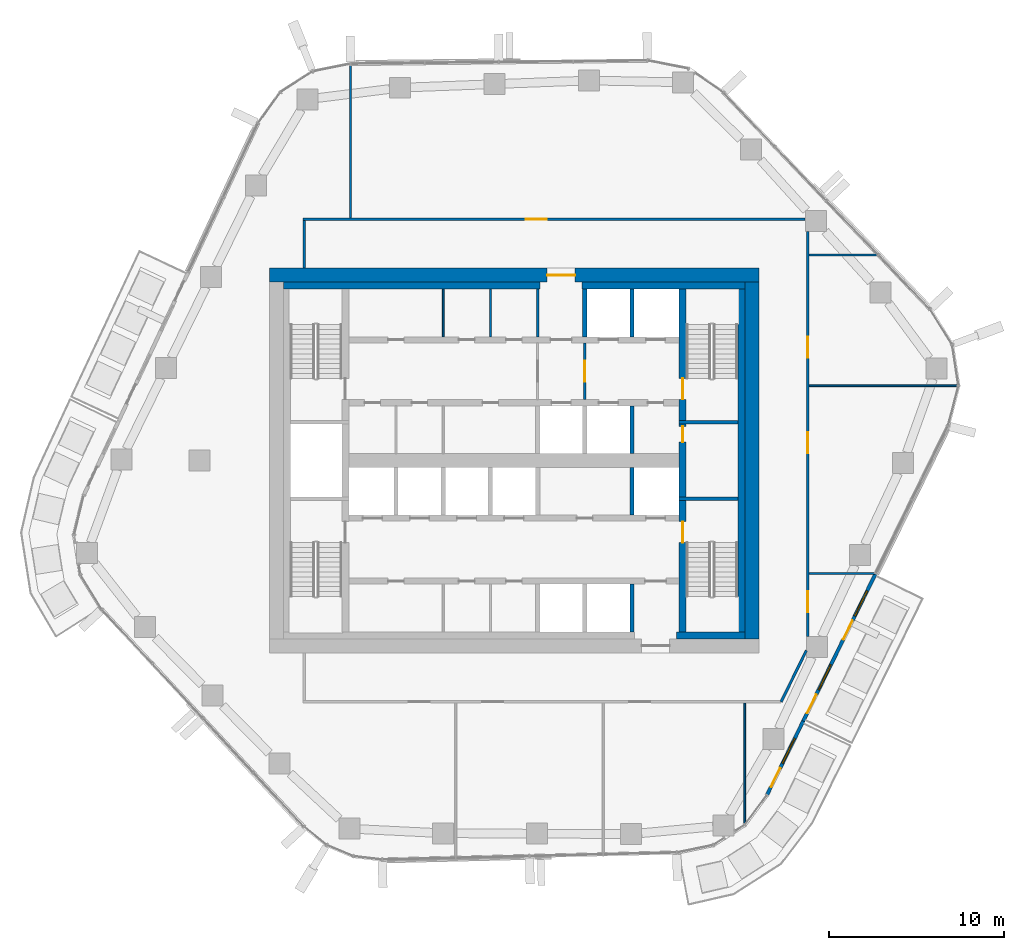
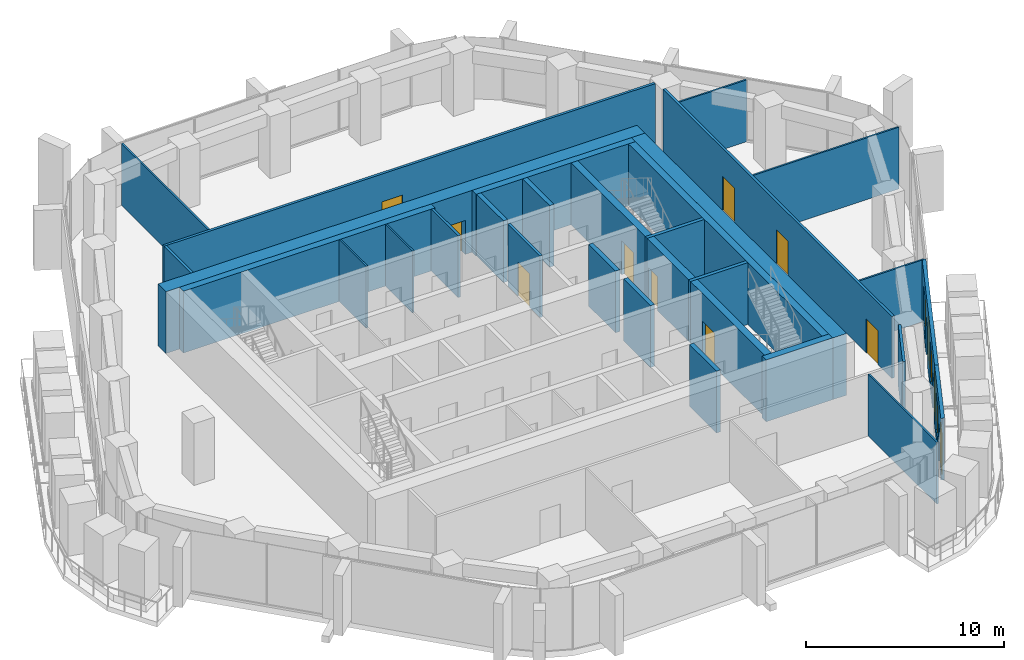
# One storey, part 12 of 17: 31 walls, 12 doors, 3 windows, 15 openings.
"""IFC4 building model written with IfcOpenShell, lengths in metres."""

from ifc_helpers import new_model, si_unit, direction, frame, frame_2d, origin, place, context, subcontext, project, spatial, rectangle, extrude, material, layer, layer_set, type_object, element, fill, save


model = new_model("IFC4")

# Units and contexts
model_context = context("Model", 3, precision=1e-05, world=origin(), true_north=direction((0.0, 1.0)))
body_context = subcontext(model_context, "Body", "Model", "MODEL_VIEW")
ifc_project = project(units=[si_unit("LENGTHUNIT", "METRE"), si_unit("AREAUNIT", "SQUARE_METRE"), si_unit("VOLUMEUNIT", "CUBIC_METRE"), si_unit("PLANEANGLEUNIT", "RADIAN"), si_unit("MASSUNIT", "GRAM", prefix="KILO")], contexts=[model_context])

# Site, building, storey
site_placement = place(None, origin())
site = spatial("IfcSite", under=ifc_project, at=site_placement, CompositionType="ELEMENT")
building_placement = place(site_placement, origin())
building = spatial("IfcBuilding", under=site, at=building_placement, Name="Dongbaek Canopy Tower", CompositionType="ELEMENT")
storey_placement = place(building_placement, frame((0.0, 0.0, 211.39990234375)))
storey = spatial("IfcBuildingStorey", under=building, at=storey_placement, Name="L44", CompositionType="ELEMENT", Elevation=211.39990234375)

# Wall, opening, door
ifc_material_1 = material(Name="Concrete C70/85", Category="concrete")
ifc_layer_1 = layer(ifc_material_1, 0.800048828125)
ifc_layer_set_1 = layer_set([ifc_layer_1], Name="Core outer wall 800 Concrete C70/85")
wall_type_1 = type_object("IfcWallType", Name="Core outer wall 800 Concrete C70/85", PredefinedType="SHEAR", material=ifc_layer_set_1)
wall_1_placement = place(storey_placement, frame((-14.0, 10.60009765625, 0.0), z_axis=(0.0, 0.0, 1.0), x_axis=(1.0, 0.0, 0.0)))
wall_1 = element("IfcWall", 1, at=wall_1_placement, inside=storey, type_object=wall_type_1, Name="Core wall", PredefinedType="SHEAR", context=body_context, shape_type="SweptSolid", body=[
    extrude(rectangle(XDim=28.0, YDim=0.800048828125, at=frame_2d((14.0, 0.0))), origin(), (0.0, 0.0, 1.0), 3.820068359375),
])
opening_1_placement = place(wall_1_placement, frame((15.89990234375, 0.0, 0.0)))
opening_1 = element("IfcOpeningElement", 2, at=opening_1_placement, cuts=wall_1, Name="Opening L44-D009", PredefinedType="OPENING", context=body_context, shape_type="SweptSolid", body=[
    extrude(rectangle(XDim=1.60009765625, YDim=2.10009765625, at=frame_2d((0.800048828125, 1.050048828125))), frame((0.0, 0.409912109375, 0.0), z_axis=(0.0, -1.0, 0.0), x_axis=(1.0, 0.0, 0.0)), (0.0, 0.0, 1.0), 0.820068359375),
])
ifc_material_2 = material(Name="Steel", Category="steel")
door_type_1 = type_object("IfcDoorType", Name="Core exit door 1600 x 2100", OperationType="DOUBLE_DOOR_SINGLE_SWING", PredefinedType="DOOR", material=ifc_material_2)
door_1_placement = place(opening_1_placement, origin())
door_1 = element("IfcDoor", 3, at=door_1_placement, inside=storey, type_object=door_type_1, Name="Core exit door", OperationType="DOUBLE_DOOR_SINGLE_SWING", OverallHeight=2.10009765625, OverallWidth=1.60009765625, PredefinedType="DOOR", context=body_context, shape_type="SweptSolid", body=[
    extrude(rectangle(XDim=1.60009765625, YDim=2.10009765625, at=frame_2d((0.800048828125, 1.050048828125))), frame((0.0, 0.02490234375, 0.0), z_axis=(0.0, -1.0, 0.0), x_axis=(1.0, 0.0, 0.0)), (0.0, 0.0, 1.0), 0.050048828125),
])
fill(opening_1, door_1)

# Walls
wall_2_placement = place(storey_placement, frame((13.60009765625, 10.199951171875, 0.0), z_axis=(0.0, 0.0, 1.0), x_axis=(0.0, -1.0, 0.0)))
element("IfcWall", 4, at=wall_2_placement, inside=storey, type_object=wall_type_1, Name="Core wall", PredefinedType="SHEAR", context=body_context, shape_type="SweptSolid", body=[
    extrude(rectangle(XDim=20.39990234375, YDim=0.800048828125, at=frame_2d((10.199951171875, 0.0))), origin(), (0.0, 0.0, 1.0), 3.820068359375),
])
ifc_material_3 = material(Name="Concrete C60/75", Category="concrete")
ifc_layer_2 = layer(ifc_material_3, 0.39990234375)
ifc_layer_set_2 = layer_set([ifc_layer_2], Name="Core wall lining 400 Concrete C60/75")
wall_type_2 = type_object("IfcWallType", Name="Core wall lining 400 Concrete C60/75", PredefinedType="SHEAR", material=ifc_layer_set_2)
wall_3_placement = place(storey_placement, frame((-13.199951171875, 10.0, 0.0), z_axis=(0.0, 0.0, 1.0), x_axis=(1.0, 0.0, 0.0)))
element("IfcWall", 5, at=wall_3_placement, inside=storey, type_object=wall_type_2, Name="Core wall lining", PredefinedType="SHEAR", context=body_context, shape_type="SweptSolid", body=[
    extrude(rectangle(XDim=14.699951171875, YDim=0.39990234375, at=frame_2d((7.35009765625, 0.0))), origin(), (0.0, 0.0, 1.0), 3.820068359375),
])
wall_4_placement = place(storey_placement, frame((3.89990234375, 10.0, 0.0), z_axis=(0.0, 0.0, 1.0), x_axis=(1.0, 0.0, 0.0)))
element("IfcWall", 6, at=wall_4_placement, inside=storey, type_object=wall_type_2, Name="Core wall lining", PredefinedType="SHEAR", context=body_context, shape_type="SweptSolid", body=[
    extrude(rectangle(XDim=9.300048828125, YDim=0.39990234375, at=frame_2d((4.64990234375, 0.0))), origin(), (0.0, 0.0, 1.0), 3.820068359375),
])
wall_5_placement = place(storey_placement, frame((13.199951171875, -10.0, 0.0), z_axis=(0.0, 0.0, 1.0), x_axis=(-1.0, 0.0, 0.0)))
element("IfcWall", 7, at=wall_5_placement, inside=storey, type_object=wall_type_2, Name="Core wall lining", PredefinedType="SHEAR", context=body_context, shape_type="SweptSolid", body=[
    extrude(rectangle(XDim=3.89990234375, YDim=0.39990234375, at=frame_2d((1.949951171875, 0.0))), origin(), (0.0, 0.0, 1.0), 3.820068359375),
])
wall_6_placement = place(storey_placement, frame((13.0, 9.800048828125, 0.0), z_axis=(0.0, 0.0, 1.0), x_axis=(0.0, -1.0, 0.0)))
element("IfcWall", 8, at=wall_6_placement, inside=storey, type_object=wall_type_2, Name="Core wall lining", PredefinedType="SHEAR", context=body_context, shape_type="SweptSolid", body=[
    extrude(rectangle(XDim=19.60009765625, YDim=0.39990234375, at=frame_2d((9.800048828125, 0.0))), origin(), (0.0, 0.0, 1.0), 3.820068359375),
])

# Wall, opening, door
ifc_material_4 = material(Name="Gypsum board partition, steel stud, 2 x 15 mm fire board", Category="steel")
ifc_layer_3 = layer(ifc_material_4, 0.14990234375)
ifc_layer_set_3 = layer_set([ifc_layer_3], Name="Fire-rated partition 150 gypsum board")
wall_type_3 = type_object("IfcWallType", Name="Fire-rated partition 150 gypsum board", PredefinedType="PARTITIONING", material=ifc_layer_set_3)
wall_7_placement = place(storey_placement, frame((-12.074951171875, 13.800048828125, 0.0), z_axis=(0.0, 0.0, 1.0), x_axis=(1.0, 0.0, 0.0)))
wall_7 = element("IfcWall", 9, at=wall_7_placement, inside=storey, type_object=wall_type_3, Name="Corridor partition", PredefinedType="PARTITIONING", context=body_context, shape_type="SweptSolid", body=[
    extrude(rectangle(XDim=28.72509765625, YDim=0.14990234375, at=frame_2d((14.362548828125, 0.0))), origin(), (0.0, 0.0, 1.0), 3.820068359375),
])
opening_2_placement = place(wall_7_placement, frame((12.736572265625, 0.0, 0.0)))
opening_2 = element("IfcOpeningElement", 10, at=opening_2_placement, cuts=wall_7, Name="Opening L44-D007", PredefinedType="OPENING", context=body_context, shape_type="SweptSolid", body=[
    extrude(rectangle(XDim=1.199951171875, YDim=2.10009765625, at=frame_2d((0.60009765625, 1.050048828125))), frame((0.0, 0.0849609375, 0.0), z_axis=(0.0, -1.0, 0.0), x_axis=(1.0, 0.0, 0.0)), (0.0, 0.0, 1.0), 0.169921875),
])
ifc_material_5 = material(Name="Timber veneered door leaf", Category="wood")
door_type_2 = type_object("IfcDoorType", Name="Room door 1200 x 2100", OperationType="SINGLE_SWING_LEFT", PredefinedType="DOOR", material=ifc_material_5)
door_2_placement = place(opening_2_placement, origin())
door_2 = element("IfcDoor", 11, at=door_2_placement, inside=storey, type_object=door_type_2, Name="Door L44-D007", OperationType="SINGLE_SWING_RIGHT", OverallHeight=2.10009765625, OverallWidth=1.199951171875, PredefinedType="DOOR", context=body_context, shape_type="SweptSolid", body=[
    extrude(rectangle(XDim=1.199951171875, YDim=2.10009765625, at=frame_2d((0.60009765625, 1.050048828125))), frame((0.0, 0.02490234375, 0.0), z_axis=(0.0, -1.0, 0.0), x_axis=(1.0, 0.0, 0.0)), (0.0, 0.0, 1.0), 0.050048828125),
])
fill(opening_2, door_2)

# Wall
wall_8_placement = place(storey_placement, frame((15.283447265625, -13.7998046875, 0.0), z_axis=(0.0, 0.0, 1.0), x_axis=(0.440561446279, 0.897722458253, 0.0)))
element("IfcWall", 12, at=wall_8_placement, inside=storey, type_object=wall_type_3, Name="Corridor partition", PredefinedType="PARTITIONING", context=body_context, shape_type="SweptSolid", body=[
    extrude(rectangle(XDim=3.26513671875, YDim=0.14990234375, at=frame_2d((1.632568359375, 0.0))), origin(), (0.0, 0.0, 1.0), 3.820068359375),
])

# Wall, openings, doors
wall_9_placement = place(storey_placement, frame((16.800048828125, 13.10595703125, 0.0), z_axis=(0.0, 0.0, 1.0), x_axis=(0.0, -1.0, 0.0)))
wall_9 = element("IfcWall", 13, at=wall_9_placement, inside=storey, type_object=wall_type_3, Name="Corridor partition", PredefinedType="PARTITIONING", context=body_context, shape_type="SweptSolid", body=[
    extrude(rectangle(XDim=23.171875, YDim=0.14990234375, at=frame_2d((11.5859375, 0.0))), origin(), (0.0, 0.0, 1.0), 3.820068359375),
])
opening_3_placement = place(wall_9_placement, frame((20.5791015625, 0.0, 0.0)))
opening_3 = element("IfcOpeningElement", 14, at=opening_3_placement, cuts=wall_9, Name="Opening L44-D004", PredefinedType="OPENING", context=body_context, shape_type="SweptSolid", body=[
    extrude(rectangle(XDim=1.199951171875, YDim=2.10009765625, at=frame_2d((0.60009765625, 1.050048828125))), frame((0.0, 0.0849609375, 0.0), z_axis=(0.0, -1.0, 0.0), x_axis=(1.0, 0.0, 0.0)), (0.0, 0.0, 1.0), 0.169921875),
])
opening_4_placement = place(wall_9_placement, frame((11.489013671875, 0.0, 0.0)))
opening_4 = element("IfcOpeningElement", 15, at=opening_4_placement, cuts=wall_9, Name="Opening L44-D005", PredefinedType="OPENING", context=body_context, shape_type="SweptSolid", body=[
    extrude(rectangle(XDim=1.199951171875, YDim=2.10009765625, at=frame_2d((0.60009765625, 1.050048828125))), frame((0.0, 0.0849609375, 0.0), z_axis=(0.0, -1.0, 0.0), x_axis=(1.0, 0.0, 0.0)), (0.0, 0.0, 1.0), 0.169921875),
])
opening_5_placement = place(wall_9_placement, frame((6.03857421875, 0.0, 0.0)))
opening_5 = element("IfcOpeningElement", 16, at=opening_5_placement, cuts=wall_9, Name="Opening L44-D006", PredefinedType="OPENING", context=body_context, shape_type="SweptSolid", body=[
    extrude(rectangle(XDim=1.199951171875, YDim=2.10009765625, at=frame_2d((0.60009765625, 1.050048828125))), frame((0.0, 0.0849609375, 0.0), z_axis=(0.0, -1.0, 0.0), x_axis=(1.0, 0.0, 0.0)), (0.0, 0.0, 1.0), 0.169921875),
])
door_3_placement = place(opening_3_placement, origin())
door_3 = element("IfcDoor", 17, at=door_3_placement, inside=storey, type_object=door_type_2, Name="Door L44-D004", OperationType="SINGLE_SWING_LEFT", OverallHeight=2.10009765625, OverallWidth=1.199951171875, PredefinedType="DOOR", context=body_context, shape_type="SweptSolid", body=[
    extrude(rectangle(XDim=1.199951171875, YDim=2.10009765625, at=frame_2d((0.60009765625, 1.050048828125))), frame((0.0, 0.02490234375, 0.0), z_axis=(0.0, -1.0, 0.0), x_axis=(1.0, 0.0, 0.0)), (0.0, 0.0, 1.0), 0.050048828125),
])
fill(opening_3, door_3)
door_4_placement = place(opening_4_placement, origin())
door_4 = element("IfcDoor", 18, at=door_4_placement, inside=storey, type_object=door_type_2, Name="Door L44-D005", OperationType="SINGLE_SWING_RIGHT", OverallHeight=2.10009765625, OverallWidth=1.199951171875, PredefinedType="DOOR", context=body_context, shape_type="SweptSolid", body=[
    extrude(rectangle(XDim=1.199951171875, YDim=2.10009765625, at=frame_2d((0.60009765625, 1.050048828125))), frame((0.0, 0.02490234375, 0.0), z_axis=(0.0, -1.0, 0.0), x_axis=(1.0, 0.0, 0.0)), (0.0, 0.0, 1.0), 0.050048828125),
])
fill(opening_4, door_4)
door_5_placement = place(opening_5_placement, origin())
door_5 = element("IfcDoor", 19, at=door_5_placement, inside=storey, type_object=door_type_2, Name="Door L44-D006", OperationType="SINGLE_SWING_LEFT", OverallHeight=2.10009765625, OverallWidth=1.199951171875, PredefinedType="DOOR", context=body_context, shape_type="SweptSolid", body=[
    extrude(rectangle(XDim=1.199951171875, YDim=2.10009765625, at=frame_2d((0.60009765625, 1.050048828125))), frame((0.0, 0.02490234375, 0.0), z_axis=(0.0, -1.0, 0.0), x_axis=(1.0, 0.0, 0.0)), (0.0, 0.0, 1.0), 0.050048828125),
])
fill(opening_5, door_5)

# Wall
wall_10_placement = place(storey_placement, frame((-12.0, 11.0, 0.0), z_axis=(0.0, 0.0, 1.0), x_axis=(0.0, 1.0, 0.0)))
element("IfcWall", 20, at=wall_10_placement, inside=storey, type_object=wall_type_3, Name="Corridor partition", PredefinedType="PARTITIONING", context=body_context, shape_type="SweptSolid", body=[
    extrude(rectangle(XDim=2.72509765625, YDim=0.14990234375, at=frame_2d((1.362548828125, 0.0))), origin(), (0.0, 0.0, 1.0), 3.820068359375),
])

# Wall, opening, door
wall_11_placement = place(storey_placement, frame((4.050048828125, 6.72509765625, 0.0), z_axis=(0.0, 0.0, 1.0), x_axis=(0.0, -1.0, 0.0)))
wall_11 = element("IfcWall", 21, at=wall_11_placement, inside=storey, type_object=wall_type_3, Name="Fire lobby partition", PredefinedType="PARTITIONING", context=body_context, shape_type="SweptSolid", body=[
    extrude(rectangle(XDim=3.25, YDim=0.14990234375, at=frame_2d((1.625, 0.0))), origin(), (0.0, 0.0, 1.0), 3.820068359375),
])
opening_6_placement = place(wall_11_placement, frame((1.02490234375, 0.0, 0.0)))
opening_6 = element("IfcOpeningElement", 22, at=opening_6_placement, cuts=wall_11, Name="Opening L44-D038", PredefinedType="OPENING", context=body_context, shape_type="SweptSolid", body=[
    extrude(rectangle(XDim=1.199951171875, YDim=2.10009765625, at=frame_2d((0.60009765625, 1.050048828125))), frame((0.0, 0.0849609375, 0.0), z_axis=(0.0, -1.0, 0.0), x_axis=(1.0, 0.0, 0.0)), (0.0, 0.0, 1.0), 0.169921875),
])
ifc_material_6 = material(Name="Steel", Category="steel")
door_type_3 = type_object("IfcDoorType", Name="Fire lobby door 1200 x 2100", OperationType="SINGLE_SWING_LEFT", PredefinedType="DOOR", material=ifc_material_6)
door_6_placement = place(opening_6_placement, origin())
door_6 = element("IfcDoor", 23, at=door_6_placement, inside=storey, type_object=door_type_3, Name="Door L44-D038", OperationType="SINGLE_SWING_RIGHT", OverallHeight=2.10009765625, OverallWidth=1.199951171875, PredefinedType="DOOR", context=body_context, shape_type="SweptSolid", body=[
    extrude(rectangle(XDim=1.199951171875, YDim=2.10009765625, at=frame_2d((0.60009765625, 1.050048828125))), frame((0.0, 0.02490234375, 0.0), z_axis=(0.0, -1.0, 0.0), x_axis=(1.0, 0.0, 0.0)), (0.0, 0.0, 1.0), 0.050048828125),
])
fill(opening_6, door_6)

# Walls
wall_12_placement = place(storey_placement, frame((1.35009765625, 7.074951171875, 0.0), z_axis=(0.0, 0.0, 1.0), x_axis=(0.0, 1.0, 0.0)))
element("IfcWall", 24, at=wall_12_placement, inside=storey, type_object=wall_type_3, Name="Fire lobby partition", PredefinedType="PARTITIONING", context=body_context, shape_type="SweptSolid", body=[
    extrude(rectangle(XDim=2.72509765625, YDim=0.14990234375, at=frame_2d((1.362548828125, 0.0))), origin(), (0.0, 0.0, 1.0), 3.820068359375),
])
ifc_material_7 = material(Name="Concrete C40/50", Category="concrete")
ifc_layer_4 = layer(ifc_material_7, 0.25)
ifc_layer_set_4 = layer_set([ifc_layer_4], Name="Lift shaft wall 250 Concrete C40/50")
wall_type_4 = type_object("IfcWallType", Name="Lift shaft wall 250 Concrete C40/50", PredefinedType="SOLIDWALL", material=ifc_layer_set_4)
for number, where, z_axis, x_axis, name in (
    (25, (6.75, -9.800048828125, 0.0), (0.0, 0.0, 1.0), (0.0, 1.0, 0.0), "Lift shaft wall"),
    (26, (6.75, -3.125, 0.0), (0.0, 0.0, 1.0), (0.0, 1.0, 0.0), "Lift shaft wall"),
    (27, (6.75, 0.39990234375, 0.0), (0.0, 0.0, 1.0), (0.0, 1.0, 0.0), "Lift shaft wall"),
    (28, (6.75, 7.074951171875, 0.0), (0.0, 0.0, 1.0), (0.0, 1.0, 0.0), "Lift shaft wall"),
    (29, (4.050048828125, 7.074951171875, 0.0), (0.0, 0.0, 1.0), (0.0, 1.0, 0.0), "Lift shaft wall"),
):
    element("IfcWall", number, at=place(storey_placement, frame(where, z_axis=z_axis, x_axis=x_axis)), inside=storey, type_object=wall_type_4, Name=name, PredefinedType="SOLIDWALL", context=body_context, shape_type="SweptSolid", body=[
        extrude(rectangle(XDim=2.72509765625, YDim=0.25, at=frame_2d((1.362548828125, 0.0))), origin(), (0.0, 0.0, 1.0), 3.820068359375),
    ])
ifc_material_8 = material(Name="Gypsum board partition, steel stud, 2 x 12.5 mm board", Category="steel")
ifc_layer_5 = layer(ifc_material_8, 0.10009765625)
ifc_layer_set_5 = layer_set([ifc_layer_5], Name="Partition 100 gypsum board")
wall_type_5 = type_object("IfcWallType", Name="Partition 100 gypsum board", PredefinedType="PARTITIONING", material=ifc_layer_set_5)
wall_13_placement = place(storey_placement, frame((16.875, -6.467041015625, 0.0), z_axis=(0.0, 0.0, 1.0), x_axis=(1.0, 0.0, 0.0)))
element("IfcWall", 30, at=wall_13_placement, inside=storey, type_object=wall_type_5, Name="Partition", PredefinedType="PARTITIONING", context=body_context, shape_type="SweptSolid", body=[
    extrude(rectangle(XDim=3.7900390625, YDim=0.10009765625, at=frame_2d((1.89501953125, 0.0))), origin(), (0.0, 0.0, 1.0), 3.820068359375),
])
wall_14_placement = place(storey_placement, frame((16.875, 4.280029296875, 0.0), z_axis=(0.0, 0.0, 1.0), x_axis=(1.0, 0.0, 0.0)))
element("IfcWall", 31, at=wall_14_placement, inside=storey, type_object=wall_type_5, Name="Partition", PredefinedType="PARTITIONING", context=body_context, shape_type="SweptSolid", body=[
    extrude(rectangle(XDim=8.529296875, YDim=0.10009765625, at=frame_2d((4.2646484375, 0.0))), origin(), (0.0, 0.0, 1.0), 3.820068359375),
])
wall_15_placement = place(storey_placement, frame((16.875, 11.7490234375, 0.0), z_axis=(0.0, 0.0, 1.0), x_axis=(1.0, 0.0, 0.0)))
element("IfcWall", 32, at=wall_15_placement, inside=storey, type_object=wall_type_5, Name="Partition", PredefinedType="PARTITIONING", context=body_context, shape_type="SweptSolid", body=[
    extrude(rectangle(XDim=3.943115234375, YDim=0.10009765625, at=frame_2d((1.9716796875, 0.0))), origin(), (0.0, 0.0, 1.0), 3.820068359375),
])
wall_16_placement = place(storey_placement, frame((13.199951171875, -20.809814453125, 0.0), z_axis=(0.0, 0.0, 1.0), x_axis=(0.0, 1.0, 0.0)))
element("IfcWall", 33, at=wall_16_placement, inside=storey, type_object=wall_type_5, Name="Partition", PredefinedType="PARTITIONING", context=body_context, shape_type="SweptSolid", body=[
    extrude(rectangle(XDim=6.934814453125, YDim=0.10009765625, at=frame_2d((3.46728515625, 0.0))), origin(), (0.0, 0.0, 1.0), 3.820068359375),
])
wall_17_placement = place(storey_placement, frame((-9.35498046875, 13.875, 0.0), z_axis=(0.0, 0.0, 1.0), x_axis=(0.0, 1.0, 0.0)))
element("IfcWall", 34, at=wall_17_placement, inside=storey, type_object=wall_type_5, Name="Partition", PredefinedType="PARTITIONING", context=body_context, shape_type="SweptSolid", body=[
    extrude(rectangle(XDim=8.794921875, YDim=0.10009765625, at=frame_2d((4.3974609375, 0.0))), origin(), (0.0, 0.0, 1.0), 3.820068359375),
])
for number, where, z_axis, x_axis, name in (
    (35, (-1.35009765625, 7.074951171875, 0.0), (0.0, 0.0, 1.0), (0.0, 1.0, 0.0), "Core partition"),
    (36, (-4.050048828125, 7.074951171875, 0.0), (0.0, 0.0, 1.0), (0.0, 1.0, 0.0), "Core partition"),
):
    element("IfcWall", number, at=place(storey_placement, frame(where, z_axis=z_axis, x_axis=x_axis)), inside=storey, type_object=wall_type_5, Name=name, PredefinedType="PARTITIONING", context=body_context, shape_type="SweptSolid", body=[
        extrude(rectangle(XDim=2.72509765625, YDim=0.10009765625, at=frame_2d((1.362548828125, 0.0))), origin(), (0.0, 0.0, 1.0), 3.820068359375),
    ])
ifc_material_9 = material(Name="Concrete C60/75", Category="concrete")
ifc_layer_6 = layer(ifc_material_9, 0.199951171875)
ifc_layer_set_6 = layer_set([ifc_layer_6], Name="Riser wall 200 Concrete C60/75")
wall_type_6 = type_object("IfcWallType", Name="Riser wall 200 Concrete C60/75", PredefinedType="SHEAR", material=ifc_layer_set_6)
for number, where, z_axis, x_axis, name in (
    (37, (9.449951171875, 2.199951171875, 0.0), (0.0, 0.0, 1.0), (1.0, 0.0, 0.0), "Riser wall"),
    (38, (9.449951171875, -2.199951171875, 0.0), (0.0, 0.0, 1.0), (1.0, 0.0, 0.0), "Riser wall"),
):
    element("IfcWall", number, at=place(storey_placement, frame(where, z_axis=z_axis, x_axis=x_axis)), inside=storey, type_object=wall_type_6, Name=name, PredefinedType="SHEAR", context=body_context, shape_type="SweptSolid", body=[
        extrude(rectangle(XDim=3.35009765625, YDim=0.199951171875, at=frame_2d((1.675048828125, 0.0))), origin(), (0.0, 0.0, 1.0), 3.820068359375),
    ])

# Wall, opening, door
ifc_material_10 = material(Name="Concrete C60/75", Category="concrete")
ifc_layer_7 = layer(ifc_material_10, 0.39990234375)
ifc_layer_set_7 = layer_set([ifc_layer_7], Name="Stair wall 400 Concrete C60/75")
wall_type_7 = type_object("IfcWallType", Name="Stair wall 400 Concrete C60/75", PredefinedType="SHEAR", material=ifc_layer_set_7)
wall_18_placement = place(storey_placement, frame((9.64990234375, -2.300048828125, 0.0), z_axis=(0.0, 0.0, 1.0), x_axis=(0.0, -1.0, 0.0)))
wall_18 = element("IfcWall", 39, at=wall_18_placement, inside=storey, type_object=wall_type_7, Name="Stair wall", PredefinedType="SHEAR", context=body_context, shape_type="SweptSolid", body=[
    extrude(rectangle(XDim=7.5, YDim=0.39990234375, at=frame_2d((3.75, 0.0))), origin(), (0.0, 0.0, 1.0), 3.820068359375),
])
opening_7_placement = place(wall_18_placement, frame((1.199951171875, 0.0, 0.0)))
opening_7 = element("IfcOpeningElement", 40, at=opening_7_placement, cuts=wall_18, Name="Opening L44-D035", PredefinedType="OPENING", context=body_context, shape_type="SweptSolid", body=[
    extrude(rectangle(XDim=1.199951171875, YDim=2.10009765625, at=frame_2d((0.60009765625, 1.050048828125))), frame((0.0, 0.2099609375, 0.0), z_axis=(0.0, -1.0, 0.0), x_axis=(1.0, 0.0, 0.0)), (0.0, 0.0, 1.0), 0.419921875),
])
ifc_material_11 = material(Name="Steel", Category="steel")
door_type_4 = type_object("IfcDoorType", Name="Stair door 1200 x 2100", OperationType="SINGLE_SWING_LEFT", PredefinedType="DOOR", material=ifc_material_11)
door_7_placement = place(opening_7_placement, origin())
door_7 = element("IfcDoor", 41, at=door_7_placement, inside=storey, type_object=door_type_4, Name="Stair B door", OperationType="SINGLE_SWING_RIGHT", OverallHeight=2.10009765625, OverallWidth=1.199951171875, PredefinedType="DOOR", context=body_context, shape_type="SweptSolid", body=[
    extrude(rectangle(XDim=1.199951171875, YDim=2.10009765625, at=frame_2d((0.60009765625, 1.050048828125))), frame((0.0, 0.02490234375, 0.0), z_axis=(0.0, -1.0, 0.0), x_axis=(1.0, 0.0, 0.0)), (0.0, 0.0, 1.0), 0.050048828125),
])
fill(opening_7, door_7)

wall_19_placement = place(storey_placement, frame((9.64990234375, 2.10009765625, 0.0), z_axis=(0.0, 0.0, 1.0), x_axis=(0.0, -1.0, 0.0)))
wall_19 = element("IfcWall", 42, at=wall_19_placement, inside=storey, type_object=wall_type_7, Name="Stair wall", PredefinedType="SHEAR", context=body_context, shape_type="SweptSolid", body=[
    extrude(rectangle(XDim=4.2001953125, YDim=0.39990234375, at=frame_2d((2.10009765625, 0.0))), origin(), (0.0, 0.0, 1.0), 3.820068359375),
])
opening_8_placement = place(wall_19_placement, frame((0.14990234375, 0.0, 0.0)))
opening_8 = element("IfcOpeningElement", 43, at=opening_8_placement, cuts=wall_19, Name="Opening L44-D008", PredefinedType="OPENING", context=body_context, shape_type="SweptSolid", body=[
    extrude(rectangle(XDim=0.89990234375, YDim=2.10009765625, at=frame_2d((0.449951171875, 1.050048828125))), frame((0.0, 0.2099609375, 0.0), z_axis=(0.0, -1.0, 0.0), x_axis=(1.0, 0.0, 0.0)), (0.0, 0.0, 1.0), 0.419921875),
])
ifc_material_12 = material(Name="Steel", Category="steel")
door_type_5 = type_object("IfcDoorType", Name="Core room door 900 x 2100", OperationType="SINGLE_SWING_LEFT", PredefinedType="DOOR", material=ifc_material_12)
door_8_placement = place(opening_8_placement, origin())
door_8 = element("IfcDoor", 44, at=door_8_placement, inside=storey, type_object=door_type_5, Name="Door L44-D008", OperationType="SINGLE_SWING_RIGHT", OverallHeight=2.10009765625, OverallWidth=0.89990234375, PredefinedType="DOOR", context=body_context, shape_type="SweptSolid", body=[
    extrude(rectangle(XDim=0.89990234375, YDim=2.10009765625, at=frame_2d((0.449951171875, 1.050048828125))), frame((0.0, 0.02490234375, 0.0), z_axis=(0.0, -1.0, 0.0), x_axis=(1.0, 0.0, 0.0)), (0.0, 0.0, 1.0), 0.050048828125),
])
fill(opening_8, door_8)

wall_20_placement = place(storey_placement, frame((9.64990234375, 9.800048828125, 0.0), z_axis=(0.0, 0.0, 1.0), x_axis=(0.0, -1.0, 0.0)))
wall_20 = element("IfcWall", 45, at=wall_20_placement, inside=storey, type_object=wall_type_7, Name="Stair wall", PredefinedType="SHEAR", context=body_context, shape_type="SweptSolid", body=[
    extrude(rectangle(XDim=7.5, YDim=0.39990234375, at=frame_2d((3.75, 0.0))), origin(), (0.0, 0.0, 1.0), 3.820068359375),
])
opening_9_placement = place(wall_20_placement, frame((5.10009765625, 0.0, 0.0)))
opening_9 = element("IfcOpeningElement", 46, at=opening_9_placement, cuts=wall_20, Name="Opening L44-D033", PredefinedType="OPENING", context=body_context, shape_type="SweptSolid", body=[
    extrude(rectangle(XDim=1.199951171875, YDim=2.10009765625, at=frame_2d((0.60009765625, 1.050048828125))), frame((0.0, 0.2099609375, 0.0), z_axis=(0.0, -1.0, 0.0), x_axis=(1.0, 0.0, 0.0)), (0.0, 0.0, 1.0), 0.419921875),
])
door_9_placement = place(opening_9_placement, origin())
door_9 = element("IfcDoor", 47, at=door_9_placement, inside=storey, type_object=door_type_4, Name="Stair A door", OperationType="SINGLE_SWING_LEFT", OverallHeight=2.10009765625, OverallWidth=1.199951171875, PredefinedType="DOOR", context=body_context, shape_type="SweptSolid", body=[
    extrude(rectangle(XDim=1.199951171875, YDim=2.10009765625, at=frame_2d((0.60009765625, 1.050048828125))), frame((0.0, 0.02490234375, 0.0), z_axis=(0.0, -1.0, 0.0), x_axis=(1.0, 0.0, 0.0)), (0.0, 0.0, 1.0), 0.050048828125),
])
fill(opening_9, door_9)

# Wall, openings, doors, windows
ifc_material_13 = material(Name="Aluminium window wall", Category="aluminium")
ifc_layer_8 = layer(ifc_material_13, 0.199951171875)
ifc_layer_set_8 = layer_set([ifc_layer_8], Name="Window wall 200")
wall_type_8 = type_object("IfcWallType", Name="Window wall 200", PredefinedType="SOLIDWALL", material=ifc_layer_set_8)
wall_21_placement = place(storey_placement, frame((16.54345703125, -14.90966796875, 0.0), z_axis=(0.0, 0.0, 1.0), x_axis=(0.440597504926, 0.897704761407, 0.0)))
wall_21 = element("IfcWall", 48, at=wall_21_placement, inside=storey, type_object=wall_type_8, Name="Window wall L44 2", PredefinedType="SOLIDWALL", context=body_context, shape_type="SweptSolid", body=[
    extrude(rectangle(XDim=9.405029296875, YDim=0.199951171875, at=frame_2d((4.70263671875, 0.0))), origin(), (0.0, 0.0, 1.0), 3.820068359375),
])
opening_10_placement = place(wall_21_placement, frame((2.0, 0.0, 0.60009765625)))
opening_10 = element("IfcOpeningElement", 49, at=opening_10_placement, cuts=wall_21, Name="Opening W1", PredefinedType="OPENING", context=body_context, shape_type="SweptSolid", body=[
    extrude(rectangle(XDim=1.60009765625, YDim=2.39990234375, at=frame_2d((0.800048828125, 1.199951171875))), frame((0.0, 0.10986328125, 0.0), z_axis=(0.0, -1.0, 0.0), x_axis=(1.0, 0.0, 0.0)), (0.0, 0.0, 1.0), 0.219970703125),
])
opening_11_placement = place(wall_21_placement, frame((0.5, 0.0, 0.0)))
opening_11 = element("IfcOpeningElement", 50, at=opening_11_placement, cuts=wall_21, Name="Opening L44-B04", PredefinedType="OPENING", context=body_context, shape_type="SweptSolid", body=[
    extrude(rectangle(XDim=1.199951171875, YDim=2.39990234375, at=frame_2d((0.60009765625, 1.199951171875))), frame((0.0, 0.10986328125, 0.0), z_axis=(0.0, -1.0, 0.0), x_axis=(1.0, 0.0, 0.0)), (0.0, 0.0, 1.0), 0.219970703125),
])
opening_12_placement = place(wall_21_placement, frame((6.702392578125, 0.0, 0.60009765625)))
opening_12 = element("IfcOpeningElement", 51, at=opening_12_placement, cuts=wall_21, Name="Opening W1", PredefinedType="OPENING", context=body_context, shape_type="SweptSolid", body=[
    extrude(rectangle(XDim=1.60009765625, YDim=2.39990234375, at=frame_2d((0.800048828125, 1.199951171875))), frame((0.0, 0.10986328125, 0.0), z_axis=(0.0, -1.0, 0.0), x_axis=(1.0, 0.0, 0.0)), (0.0, 0.0, 1.0), 0.219970703125),
])
opening_13_placement = place(wall_21_placement, frame((5.202392578125, 0.0, 0.0)))
opening_13 = element("IfcOpeningElement", 52, at=opening_13_placement, cuts=wall_21, Name="Opening L44-B05", PredefinedType="OPENING", context=body_context, shape_type="SweptSolid", body=[
    extrude(rectangle(XDim=1.199951171875, YDim=2.39990234375, at=frame_2d((0.60009765625, 1.199951171875))), frame((0.0, 0.10986328125, 0.0), z_axis=(0.0, -1.0, 0.0), x_axis=(1.0, 0.0, 0.0)), (0.0, 0.0, 1.0), 0.219970703125),
])
ifc_material_14 = material(Name="Clear glazing in aluminium frame", Category="aluminium")
door_type_6 = type_object("IfcDoorType", Name="Balcony door BD1 1200 x 2400", OperationType="SLIDING_TO_LEFT", PredefinedType="DOOR", material=ifc_material_14)
door_10_placement = place(opening_11_placement, origin())
door_10 = element("IfcDoor", 53, at=door_10_placement, inside=storey, type_object=door_type_6, Name="Balcony door L44-B04", OperationType="SLIDING_TO_LEFT", OverallHeight=2.39990234375, OverallWidth=1.199951171875, PredefinedType="DOOR", context=body_context, shape_type="SweptSolid", body=[
    extrude(rectangle(XDim=1.199951171875, YDim=2.39990234375, at=frame_2d((0.60009765625, 1.199951171875))), frame((0.0, 0.02490234375, 0.0), z_axis=(0.0, -1.0, 0.0), x_axis=(1.0, 0.0, 0.0)), (0.0, 0.0, 1.0), 0.050048828125),
])
fill(opening_11, door_10)
door_11_placement = place(opening_13_placement, origin())
door_11 = element("IfcDoor", 54, at=door_11_placement, inside=storey, type_object=door_type_6, Name="Balcony door L44-B05", OperationType="SLIDING_TO_LEFT", OverallHeight=2.39990234375, OverallWidth=1.199951171875, PredefinedType="DOOR", context=body_context, shape_type="SweptSolid", body=[
    extrude(rectangle(XDim=1.199951171875, YDim=2.39990234375, at=frame_2d((0.60009765625, 1.199951171875))), frame((0.0, 0.02490234375, 0.0), z_axis=(0.0, -1.0, 0.0), x_axis=(1.0, 0.0, 0.0)), (0.0, 0.0, 1.0), 0.050048828125),
])
fill(opening_13, door_11)
ifc_material_15 = material(Name="Clear glazing in aluminium frame", Category="aluminium")
window_type = type_object("IfcWindowType", Name="Window W1 1600 x 2400", PartitioningType="SINGLE_PANEL", PredefinedType="WINDOW", material=ifc_material_15)
window_1_placement = place(opening_10_placement, origin())
window_1 = element("IfcWindow", 55, at=window_1_placement, inside=storey, type_object=window_type, Name="Window L44 2.1", OverallHeight=2.39990234375, OverallWidth=1.60009765625, PartitioningType="SINGLE_PANEL", PredefinedType="WINDOW", context=body_context, shape_type="SweptSolid", body=[
    extrude(rectangle(XDim=1.60009765625, YDim=2.39990234375, at=frame_2d((0.800048828125, 1.199951171875))), frame((0.0, 0.030029296875, 0.0), z_axis=(0.0, -1.0, 0.0), x_axis=(1.0, 0.0, 0.0)), (0.0, 0.0, 1.0), 0.06005859375),
])
fill(opening_10, window_1)
window_2_placement = place(opening_12_placement, origin())
window_2 = element("IfcWindow", 56, at=window_2_placement, inside=storey, type_object=window_type, Name="Window L44 2.2", OverallHeight=2.39990234375, OverallWidth=1.60009765625, PartitioningType="SINGLE_PANEL", PredefinedType="WINDOW", context=body_context, shape_type="SweptSolid", body=[
    extrude(rectangle(XDim=1.60009765625, YDim=2.39990234375, at=frame_2d((0.800048828125, 1.199951171875))), frame((0.0, 0.030029296875, 0.0), z_axis=(0.0, -1.0, 0.0), x_axis=(1.0, 0.0, 0.0)), (0.0, 0.0, 1.0), 0.06005859375),
])
fill(opening_12, window_2)

# Wall, openings, door, window
wall_22_placement = place(storey_placement, frame((14.4755859375, -19.122802734375, 0.0), z_axis=(0.0, 0.0, 1.0), x_axis=(0.440605358917, 0.897700906591, 0.0)))
wall_22 = element("IfcWall", 57, at=wall_22_placement, inside=storey, type_object=wall_type_8, Name="Window wall L44 4", PredefinedType="SOLIDWALL", context=body_context, shape_type="SweptSolid", body=[
    extrude(rectangle(XDim=4.693359375, YDim=0.199951171875, at=frame_2d((2.3466796875, 0.0))), origin(), (0.0, 0.0, 1.0), 3.820068359375),
])
opening_14_placement = place(wall_22_placement, frame((2.0, 0.0, 0.60009765625)))
opening_14 = element("IfcOpeningElement", 58, at=opening_14_placement, cuts=wall_22, Name="Opening W1", PredefinedType="OPENING", context=body_context, shape_type="SweptSolid", body=[
    extrude(rectangle(XDim=1.60009765625, YDim=2.39990234375, at=frame_2d((0.800048828125, 1.199951171875))), frame((0.0, 0.10986328125, 0.0), z_axis=(0.0, -1.0, 0.0), x_axis=(1.0, 0.0, 0.0)), (0.0, 0.0, 1.0), 0.219970703125),
])
opening_15_placement = place(wall_22_placement, frame((0.5, 0.0, 0.0)))
opening_15 = element("IfcOpeningElement", 59, at=opening_15_placement, cuts=wall_22, Name="Opening L44-B06", PredefinedType="OPENING", context=body_context, shape_type="SweptSolid", body=[
    extrude(rectangle(XDim=1.199951171875, YDim=2.39990234375, at=frame_2d((0.60009765625, 1.199951171875))), frame((0.0, 0.10986328125, 0.0), z_axis=(0.0, -1.0, 0.0), x_axis=(1.0, 0.0, 0.0)), (0.0, 0.0, 1.0), 0.219970703125),
])
door_12_placement = place(opening_15_placement, origin())
door_12 = element("IfcDoor", 60, at=door_12_placement, inside=storey, type_object=door_type_6, Name="Balcony door L44-B06", OperationType="SLIDING_TO_LEFT", OverallHeight=2.39990234375, OverallWidth=1.199951171875, PredefinedType="DOOR", context=body_context, shape_type="SweptSolid", body=[
    extrude(rectangle(XDim=1.199951171875, YDim=2.39990234375, at=frame_2d((0.60009765625, 1.199951171875))), frame((0.0, 0.02490234375, 0.0), z_axis=(0.0, -1.0, 0.0), x_axis=(1.0, 0.0, 0.0)), (0.0, 0.0, 1.0), 0.050048828125),
])
fill(opening_15, door_12)
window_3_placement = place(opening_14_placement, origin())
window_3 = element("IfcWindow", 61, at=window_3_placement, inside=storey, type_object=window_type, Name="Window L44 4.1", OverallHeight=2.39990234375, OverallWidth=1.60009765625, PartitioningType="SINGLE_PANEL", PredefinedType="WINDOW", context=body_context, shape_type="SweptSolid", body=[
    extrude(rectangle(XDim=1.60009765625, YDim=2.39990234375, at=frame_2d((0.800048828125, 1.199951171875))), frame((0.0, 0.030029296875, 0.0), z_axis=(0.0, -1.0, 0.0), x_axis=(1.0, 0.0, 0.0)), (0.0, 0.0, 1.0), 0.06005859375),
])
fill(opening_14, window_3)

save(model, "model.ifc")
